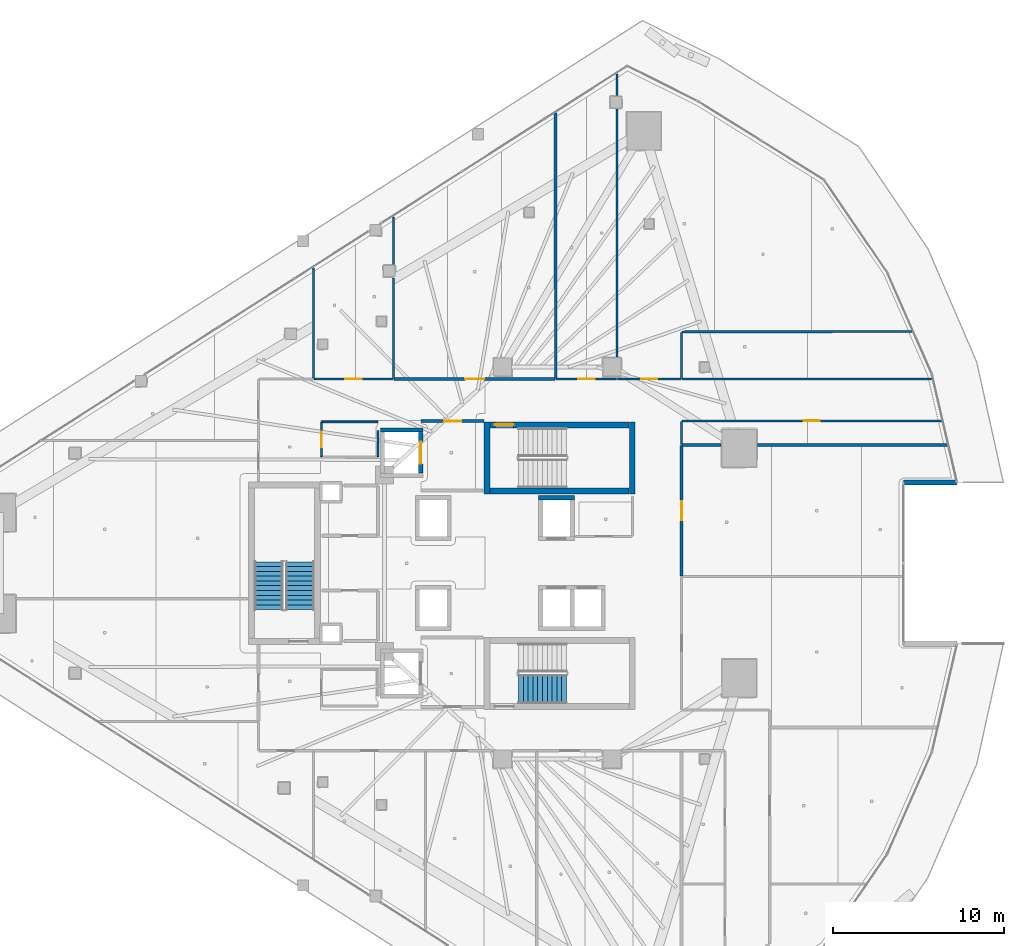
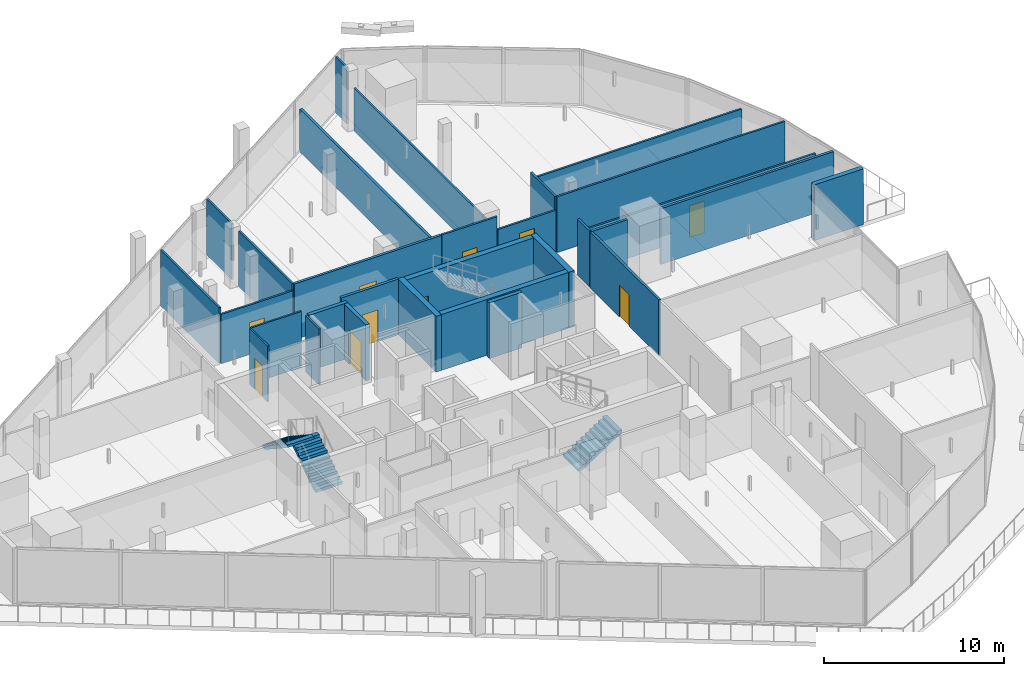
# One storey, part 25 of 35: 30 walls, 10 doors, 3 stair flights, 10 openings, 2 elements without a shape of their own.
"""IFC4 building model written with IfcOpenShell, lengths in metres."""

from ifc_helpers import new_model, si_unit, direction, frame, frame_2d, origin, place, context, subcontext, project, spatial, polyline, rectangle, outline, extrude, material, layer, layer_set, type_object, element, fill, aggregate, save


model = new_model("IFC4")

# Units and contexts
model_context = context("Model", 3, precision=1e-05, world=origin(), true_north=direction((0.0, 1.0)))
body_context = subcontext(model_context, "Body", "Model", "MODEL_VIEW")
ifc_project = project(units=[si_unit("LENGTHUNIT", "METRE"), si_unit("AREAUNIT", "SQUARE_METRE"), si_unit("VOLUMEUNIT", "CUBIC_METRE"), si_unit("PLANEANGLEUNIT", "RADIAN"), si_unit("MASSUNIT", "GRAM", prefix="KILO")], contexts=[model_context])

# Site, building, storey
site_placement = place(None, origin())
site = spatial("IfcSite", under=ifc_project, at=site_placement, CompositionType="ELEMENT")
building_placement = place(site_placement, origin())
building = spatial("IfcBuilding", under=site, at=building_placement, Name="Qorvath Tower", CompositionType="ELEMENT")
storey_placement = place(building_placement, frame((0.0, 0.0, 166.5)))
storey = spatial("IfcBuildingStorey", under=building, at=storey_placement, Name="L38", CompositionType="ELEMENT", Elevation=166.5)

# Wall, opening, door
ifc_material_1 = material(Name="Gypsum shaftliner on steel studs", Category="steel")
ifc_layer_1 = layer(ifc_material_1, 0.179931640625)
ifc_layer_set_1 = layer_set([ifc_layer_1], Name="FW-LOBBY")
wall_type_1 = type_object("IfcWallType", Name="FW-LOBBY", PredefinedType="PARTITIONING", material=ifc_layer_set_1)
wall_1_placement = place(storey_placement, frame((-24.68408203125, 8.300048828125, 0.0), z_axis=(0.0, 0.0, 1.0), x_axis=(-1.0, 0.0, 0.0)))
wall_1 = element("IfcWall", 1, at=wall_1_placement, inside=storey, type_object=wall_type_1, Name="Interior Partition IW-T1-L38-002", PredefinedType="PARTITIONING", context=body_context, shape_type="SweptSolid", body=[
    extrude(rectangle(XDim=3.6708984375, YDim=0.179931640625, at=frame_2d((1.83544921875, 0.0))), origin(), (0.0, 0.0, 1.0), 3.780029296875),
])
opening_1_placement = place(wall_1_placement, frame((1.33544921875, 0.0, 0.0)))
opening_1 = element("IfcOpeningElement", 2, at=opening_1_placement, cuts=wall_1, Name="Opening D-T1-L38-23", PredefinedType="OPENING", context=body_context, shape_type="SweptSolid", body=[
    extrude(rectangle(XDim=1.0, YDim=2.14990234375, at=frame_2d((0.5, 1.074951171875))), frame((0.0, 0.10009765625, 0.0), z_axis=(0.0, -1.0, 0.0), x_axis=(1.0, 0.0, 0.0)), (0.0, 0.0, 1.0), 0.199951171875),
])
ifc_material_2 = material(Name="Painted galvanised hollow metal", Category="steel")
door_type_1 = type_object("IfcDoorType", Name="FD-60", OperationType="NOTDEFINED", PredefinedType="DOOR", material=ifc_material_2)
door_1_placement = place(opening_1_placement, origin())
door_1 = element("IfcDoor", 3, at=door_1_placement, inside=storey, type_object=door_type_1, Name="Lobby Fire Service Elevator North Door D-T1-L38-23", OperationType="SINGLE_SWING_RIGHT", OverallHeight=2.14990234375, OverallWidth=1.0, PredefinedType="DOOR", context=body_context, shape_type="SweptSolid", body=[
    extrude(rectangle(XDim=1.0, YDim=2.14990234375, at=frame_2d((0.5, 1.074951171875))), frame((0.0, 0.02490234375, 0.0), z_axis=(0.0, -1.0, 0.0), x_axis=(1.0, 0.0, 0.0)), (0.0, 0.0, 1.0), 0.050048828125),
])
fill(opening_1, door_1)

ifc_material_3 = material(Name="Double acoustic gypsum board on steel studs", Category="steel")
ifc_layer_2 = layer(ifc_material_3, 0.159912109375)
ifc_layer_set_2 = layer_set([ifc_layer_2], Name="IW-ACOUSTIC-160")
wall_type_2 = type_object("IfcWallType", Name="IW-ACOUSTIC-160", PredefinedType="PARTITIONING", material=ifc_layer_set_2)
wall_2_placement = place(storey_placement, frame((-29.94580078125, 10.758056640625, 0.0), z_axis=(0.0, 0.0, 1.0), x_axis=(1.0, 0.0, 0.0)))
wall_2 = element("IfcWall", 4, at=wall_2_placement, inside=storey, type_object=wall_type_2, Name="Interior Partition IW-T1-L38-025", PredefinedType="PARTITIONING", context=body_context, shape_type="SweptSolid", body=[
    extrude(rectangle(XDim=9.42138671875, YDim=0.159912109375, at=frame_2d((4.710693359375, 0.0))), origin(), (0.0, 0.0, 1.0), 3.780029296875),
])
opening_2_placement = place(wall_2_placement, frame((4.16064453125, 0.0, 0.0)))
opening_2 = element("IfcOpeningElement", 5, at=opening_2_placement, cuts=wall_2, Name="Opening D-T1-L38-07", PredefinedType="OPENING", context=body_context, shape_type="SweptSolid", body=[
    extrude(rectangle(XDim=1.10009765625, YDim=2.14990234375, at=frame_2d((0.550048828125, 1.074951171875))), frame((0.0, 0.08984375, 0.0), z_axis=(0.0, -1.0, 0.0), x_axis=(1.0, 0.0, 0.0)), (0.0, 0.0, 1.0), 0.179931640625),
])
ifc_material_4 = material(Name="Anodised aluminium acoustic framed glass", Category="aluminium")
door_type_2 = type_object("IfcDoorType", Name="D-03", OperationType="NOTDEFINED", PredefinedType="DOOR", material=ifc_material_4)
door_2_placement = place(opening_2_placement, origin())
door_2 = element("IfcDoor", 6, at=door_2_placement, inside=storey, type_object=door_type_2, Name="L38-02 Client Services Office Door D-T1-L38-07", OperationType="SINGLE_SWING_RIGHT", OverallHeight=2.14990234375, OverallWidth=1.10009765625, PredefinedType="DOOR", context=body_context, shape_type="SweptSolid", body=[
    extrude(rectangle(XDim=1.10009765625, YDim=2.14990234375, at=frame_2d((0.550048828125, 1.074951171875))), frame((0.0, 0.02490234375, 0.0), z_axis=(0.0, -1.0, 0.0), x_axis=(1.0, 0.0, 0.0)), (0.0, 0.0, 1.0), 0.050048828125),
])
fill(opening_2, door_2)

# Walls
wall_3_placement = place(storey_placement, frame((-20.499267578125, 10.783203125, 0.0), z_axis=(0.0, 0.0, 1.0), x_axis=(-0.000582677066, 0.999999830244, 0.0)))
element("IfcWall", 7, at=wall_3_placement, inside=storey, type_object=wall_type_2, Name="Interior Partition IW-T1-L38-026", PredefinedType="PARTITIONING", context=body_context, shape_type="SweptSolid", body=[
    extrude(rectangle(XDim=15.5029296875, YDim=0.159912109375, at=frame_2d((7.75146484375, 0.0))), origin(), (0.0, 0.0, 1.0), 2.89501953125),
])
wall_4_placement = place(storey_placement, frame((2.3662109375, 6.9052734375, 0.0), z_axis=(0.0, 0.0, 1.0), x_axis=(-1.0, 0.0, 0.0)))
element("IfcWall", 8, at=wall_4_placement, inside=storey, type_object=wall_type_2, Name="Interior Partition IW-T1-L38-055", PredefinedType="PARTITIONING", context=body_context, shape_type="SweptSolid", body=[
    extrude(rectangle(XDim=11.071533203125, YDim=0.159912109375, at=frame_2d((5.53564453125, 0.0))), origin(), (0.0, 0.0, 1.0), 3.780029296875),
])
wall_5_placement = place(storey_placement, frame((-10.835205078125, 6.9052734375, 0.0), z_axis=(0.0, 0.0, 1.0), x_axis=(-1.0, 0.0, 0.0)))
element("IfcWall", 9, at=wall_5_placement, inside=storey, type_object=wall_type_2, Name="Interior Partition IW-T1-L38-056", PredefinedType="PARTITIONING", context=body_context, shape_type="SweptSolid", body=[
    extrude(rectangle(XDim=2.281982421875, YDim=0.159912109375, at=frame_2d((1.14111328125, 0.0))), origin(), (0.0, 0.0, 1.0), 3.780029296875),
])

# Wall, opening, door
wall_6_placement = place(storey_placement, frame((-13.14208984375, 6.88037109375, 0.0), z_axis=(0.0, 0.0, 1.0), x_axis=(0.0, -1.0, 0.0)))
wall_6 = element("IfcWall", 10, at=wall_6_placement, inside=storey, type_object=wall_type_2, Name="Interior Partition IW-T1-L38-057", PredefinedType="PARTITIONING", context=body_context, shape_type="SweptSolid", body=[
    extrude(rectangle(XDim=7.636474609375, YDim=0.159912109375, at=frame_2d((3.818359375, 0.0))), origin(), (0.0, 0.0, 1.0), 3.780029296875),
])
opening_3_placement = place(wall_6_placement, frame((3.268310546875, 0.0, 0.0)))
opening_3 = element("IfcOpeningElement", 11, at=opening_3_placement, cuts=wall_6, Name="Opening D-T1-L38-17", PredefinedType="OPENING", context=body_context, shape_type="SweptSolid", body=[
    extrude(rectangle(XDim=1.10009765625, YDim=2.14990234375, at=frame_2d((0.550048828125, 1.074951171875))), frame((0.0, 0.08984375, 0.0), z_axis=(0.0, -1.0, 0.0), x_axis=(1.0, 0.0, 0.0)), (0.0, 0.0, 1.0), 0.179931640625),
])
door_3_placement = place(opening_3_placement, origin())
door_3 = element("IfcDoor", 12, at=door_3_placement, inside=storey, type_object=door_type_2, Name="L38-12 Enclosed Conference Suite Door D-T1-L38-17", OperationType="SINGLE_SWING_RIGHT", OverallHeight=2.14990234375, OverallWidth=1.10009765625, PredefinedType="DOOR", context=body_context, shape_type="SweptSolid", body=[
    extrude(rectangle(XDim=1.10009765625, YDim=2.14990234375, at=frame_2d((0.550048828125, 1.074951171875))), frame((0.0, 0.02490234375, 0.0), z_axis=(0.0, -1.0, 0.0), x_axis=(1.0, 0.0, 0.0)), (0.0, 0.0, 1.0), 0.050048828125),
])
fill(opening_3, door_3)

# Wall
ifc_material_5 = material(Name="Gypsum board on metal studs with mineral wool", Category="gypsum")
ifc_layer_3 = layer(ifc_material_5, 0.125)
ifc_layer_set_3 = layer_set([ifc_layer_3], Name="IW-PART-125")
wall_type_3 = type_object("IfcWallType", Name="IW-PART-125", PredefinedType="PARTITIONING", material=ifc_layer_set_3)
wall_7_placement = place(storey_placement, frame((-34.64990234375, 17.247802734375, 0.0), z_axis=(0.0, 0.0, 1.0), x_axis=(0.0, -1.0, 0.0)))
element("IfcWall", 13, at=wall_7_placement, inside=storey, type_object=wall_type_3, Name="Interior Partition IW-T1-L38-021", PredefinedType="PARTITIONING", context=body_context, shape_type="SweptSolid", body=[
    extrude(rectangle(XDim=6.464599609375, YDim=0.125, at=frame_2d((3.232421875, 0.0))), origin(), (0.0, 0.0, 1.0), 3.780029296875),
])

# Wall, opening, door
wall_8_placement = place(storey_placement, frame((-34.625, 10.758056640625, 0.0), z_axis=(0.0, 0.0, 1.0), x_axis=(1.0, 0.0, 0.0)))
wall_8 = element("IfcWall", 14, at=wall_8_placement, inside=storey, type_object=wall_type_3, Name="Interior Partition IW-T1-L38-022", PredefinedType="PARTITIONING", context=body_context, shape_type="SweptSolid", body=[
    extrude(rectangle(XDim=4.62109375, YDim=0.125, at=frame_2d((2.310546875, 0.0))), origin(), (0.0, 0.0, 1.0), 3.34375),
])
opening_4_placement = place(wall_8_placement, frame((1.83544921875, 0.0, 0.0)))
opening_4 = element("IfcOpeningElement", 15, at=opening_4_placement, cuts=wall_8, Name="Opening D-T1-L38-06", PredefinedType="OPENING", context=body_context, shape_type="SweptSolid", body=[
    extrude(rectangle(XDim=0.949951171875, YDim=2.14990234375, at=frame_2d((0.47509765625, 1.074951171875))), frame((0.0, 0.072509765625, 0.0), z_axis=(0.0, -1.0, 0.0), x_axis=(1.0, 0.0, 0.0)), (0.0, 0.0, 1.0), 0.14501953125),
])
ifc_material_6 = material(Name="Solid-core American white oak veneer", Category="wood")
door_type_3 = type_object("IfcDoorType", Name="D-01", OperationType="NOTDEFINED", PredefinedType="DOOR", material=ifc_material_6)
door_4_placement = place(opening_4_placement, origin())
door_4 = element("IfcDoor", 16, at=door_4_placement, inside=storey, type_object=door_type_3, Name="L38-01 Staff Refreshment Pantry and Coffee Bar Door D-T1-L38-06", OperationType="SINGLE_SWING_LEFT", OverallHeight=2.14990234375, OverallWidth=0.949951171875, PredefinedType="DOOR", context=body_context, shape_type="SweptSolid", body=[
    extrude(rectangle(XDim=0.949951171875, YDim=2.14990234375, at=frame_2d((0.47509765625, 1.074951171875))), frame((0.0, 0.02490234375, 0.0), z_axis=(0.0, -1.0, 0.0), x_axis=(1.0, 0.0, 0.0)), (0.0, 0.0, 1.0), 0.050048828125),
])
fill(opening_4, door_4)

# Walls
wall_9_placement = place(storey_placement, frame((-29.97900390625, 10.783203125, 0.0), z_axis=(0.0, 0.0, 1.0), x_axis=(0.0, 1.0, 0.0)))
element("IfcWall", 17, at=wall_9_placement, inside=storey, type_object=wall_type_3, Name="Interior Partition IW-T1-L38-023", PredefinedType="PARTITIONING", context=body_context, shape_type="SweptSolid", body=[
    extrude(rectangle(XDim=5.886474609375, YDim=0.125, at=frame_2d((2.943359375, 0.0))), origin(), (0.0, 0.0, 1.0), 3.780029296875),
])
wall_10_placement = place(storey_placement, frame((-29.97900390625, 17.44970703125, 0.0), z_axis=(0.0, 0.0, 1.0), x_axis=(0.0, 1.0, 0.0)))
element("IfcWall", 18, at=wall_10_placement, inside=storey, type_object=wall_type_3, Name="Interior Partition IW-T1-L38-024", PredefinedType="PARTITIONING", context=body_context, shape_type="SweptSolid", body=[
    extrude(rectangle(XDim=2.783447265625, YDim=0.125, at=frame_2d((1.3916015625, 0.0))), origin(), (0.0, 0.0, 1.0), 3.780029296875),
])

# Wall, opening, door
wall_11_placement = place(storey_placement, frame((-20.46630859375, 10.758056640625, 0.0), z_axis=(0.0, 0.0, 1.0), x_axis=(1.0, 0.0, 0.0)))
wall_11 = element("IfcWall", 19, at=wall_11_placement, inside=storey, type_object=wall_type_3, Name="Interior Partition IW-T1-L38-027", PredefinedType="PARTITIONING", context=body_context, shape_type="SweptSolid", body=[
    extrude(rectangle(XDim=3.522705078125, YDim=0.125, at=frame_2d((1.76123046875, 0.0))), origin(), (0.0, 0.0, 1.0), 3.780029296875),
])
opening_5_placement = place(wall_11_placement, frame((1.286376953125, 0.0, 0.0)))
opening_5 = element("IfcOpeningElement", 20, at=opening_5_placement, cuts=wall_11, Name="Opening D-T1-L38-08", PredefinedType="OPENING", context=body_context, shape_type="SweptSolid", body=[
    extrude(rectangle(XDim=0.949951171875, YDim=2.14990234375, at=frame_2d((0.47509765625, 1.074951171875))), frame((0.0, 0.072509765625, 0.0), z_axis=(0.0, -1.0, 0.0), x_axis=(1.0, 0.0, 0.0)), (0.0, 0.0, 1.0), 0.14501953125),
])
door_5_placement = place(opening_5_placement, origin())
door_5 = element("IfcDoor", 21, at=door_5_placement, inside=storey, type_object=door_type_3, Name="L38-03 Staff Wellness Studio Door D-T1-L38-08", OperationType="SINGLE_SWING_LEFT", OverallHeight=2.14990234375, OverallWidth=0.949951171875, PredefinedType="DOOR", context=body_context, shape_type="SweptSolid", body=[
    extrude(rectangle(XDim=0.949951171875, YDim=2.14990234375, at=frame_2d((0.47509765625, 1.074951171875))), frame((0.0, 0.02490234375, 0.0), z_axis=(0.0, -1.0, 0.0), x_axis=(1.0, 0.0, 0.0)), (0.0, 0.0, 1.0), 0.050048828125),
])
fill(opening_5, door_5)

# Walls
wall_12_placement = place(storey_placement, frame((-16.918701171875, 12.0400390625, 0.0), z_axis=(0.0, 0.0, 1.0), x_axis=(0.0, 1.0, 0.0)))
element("IfcWall", 22, at=wall_12_placement, inside=storey, type_object=wall_type_3, Name="Interior Partition IW-T1-L38-028", PredefinedType="PARTITIONING", context=body_context, shape_type="SweptSolid", body=[
    extrude(rectangle(XDim=14.499267578125, YDim=0.125, at=frame_2d((7.24951171875, 0.0))), origin(), (0.0, 0.0, 1.0), 2.89501953125),
])
wall_13_placement = place(storey_placement, frame((-16.918701171875, 27.319091796875, 0.0), z_axis=(0.0, 0.0, 1.0), x_axis=(0.0, 1.0, 0.0)))
element("IfcWall", 23, at=wall_13_placement, inside=storey, type_object=wall_type_3, Name="Interior Partition IW-T1-L38-029", PredefinedType="PARTITIONING", context=body_context, shape_type="SweptSolid", body=[
    extrude(rectangle(XDim=1.26123046875, YDim=0.125, at=frame_2d((0.630615234375, 0.0))), origin(), (0.0, 0.0, 1.0), 3.780029296875),
])

# Wall, opening, door
wall_14_placement = place(storey_placement, frame((-16.885498046875, 10.758056640625, 0.0), z_axis=(0.0, 0.0, 1.0), x_axis=(1.0, 0.0, 0.0)))
wall_14 = element("IfcWall", 24, at=wall_14_placement, inside=storey, type_object=wall_type_3, Name="Interior Partition IW-T1-L38-030", PredefinedType="PARTITIONING", context=body_context, shape_type="SweptSolid", body=[
    extrude(rectangle(XDim=3.710693359375, YDim=0.125, at=frame_2d((1.85546875, 0.0))), origin(), (0.0, 0.0, 1.0), 2.89501953125),
])
opening_6_placement = place(wall_14_placement, frame((1.38037109375, 0.0, 0.0)))
opening_6 = element("IfcOpeningElement", 25, at=opening_6_placement, cuts=wall_14, Name="Opening D-T1-L38-09", PredefinedType="OPENING", context=body_context, shape_type="SweptSolid", body=[
    extrude(rectangle(XDim=0.949951171875, YDim=2.14990234375, at=frame_2d((0.47509765625, 1.074951171875))), frame((0.0, 0.072509765625, 0.0), z_axis=(0.0, -1.0, 0.0), x_axis=(1.0, 0.0, 0.0)), (0.0, 0.0, 1.0), 0.14501953125),
])
door_6_placement = place(opening_6_placement, origin())
door_6 = element("IfcDoor", 26, at=door_6_placement, inside=storey, type_object=door_type_3, Name="L38-04 Design Pin-Up Atelier Door D-T1-L38-09", OperationType="SINGLE_SWING_RIGHT", OverallHeight=2.14990234375, OverallWidth=0.949951171875, PredefinedType="DOOR", context=body_context, shape_type="SweptSolid", body=[
    extrude(rectangle(XDim=0.949951171875, YDim=2.14990234375, at=frame_2d((0.47509765625, 1.074951171875))), frame((0.0, 0.02490234375, 0.0), z_axis=(0.0, -1.0, 0.0), x_axis=(1.0, 0.0, 0.0)), (0.0, 0.0, 1.0), 0.050048828125),
])
fill(opening_6, door_6)

# Walls
wall_15_placement = place(storey_placement, frame((-13.14990234375, 13.489990234375, 0.0), z_axis=(0.0, 0.0, 1.0), x_axis=(0.0, -1.0, 0.0)))
element("IfcWall", 27, at=wall_15_placement, inside=storey, type_object=wall_type_3, Name="Interior Partition IW-T1-L38-031", PredefinedType="PARTITIONING", context=body_context, shape_type="SweptSolid", body=[
    extrude(rectangle(XDim=2.706787109375, YDim=0.125, at=frame_2d((1.353515625, 0.0))), origin(), (0.0, 0.0, 1.0), 3.780029296875),
])
wall_16_placement = place(storey_placement, frame((-13.125, 13.514892578125, 0.0), z_axis=(0.0, 0.0, 1.0), x_axis=(0.999999553983, 0.000944475304, 0.0)))
element("IfcWall", 28, at=wall_16_placement, inside=storey, type_object=wall_type_3, Name="Interior Partition IW-T1-L38-032", PredefinedType="PARTITIONING", context=body_context, shape_type="SweptSolid", body=[
    extrude(rectangle(XDim=13.441650390625, YDim=0.125, at=frame_2d((6.720703125, 0.0))), origin(), (0.0, 0.0, 1.0), 3.34375),
])
wall_17_placement = place(storey_placement, frame((1.47314453125, 10.758056640625, 0.0), z_axis=(0.0, 0.0, 1.0), x_axis=(-1.0, 0.0, 0.0)))
element("IfcWall", 29, at=wall_17_placement, inside=storey, type_object=wall_type_3, Name="Interior Partition IW-T1-L38-058", PredefinedType="PARTITIONING", context=body_context, shape_type="SweptSolid", body=[
    extrude(rectangle(XDim=14.59033203125, YDim=0.125, at=frame_2d((7.295166015625, 0.0))), origin(), (0.0, 0.0, 1.0), 3.780029296875),
])

# Wall, opening, door
wall_18_placement = place(storey_placement, frame((-13.1171875, 8.31201171875, 0.0), z_axis=(0.0, 0.0, 1.0), x_axis=(1.0, 0.0, 0.0)))
wall_18 = element("IfcWall", 30, at=wall_18_placement, inside=storey, type_object=wall_type_3, Name="Interior Partition IW-T1-L38-059", PredefinedType="PARTITIONING", context=body_context, shape_type="SweptSolid", body=[
    extrude(rectangle(XDim=15.1572265625, YDim=0.125, at=frame_2d((7.57861328125, 0.0))), origin(), (0.0, 0.0, 1.0), 2.89501953125),
])
opening_7_placement = place(wall_18_placement, frame((7.103515625, 0.0, 0.0)))
opening_7 = element("IfcOpeningElement", 31, at=opening_7_placement, cuts=wall_18, Name="Opening D-T1-L38-18", PredefinedType="OPENING", context=body_context, shape_type="SweptSolid", body=[
    extrude(rectangle(XDim=0.949951171875, YDim=2.14990234375, at=frame_2d((0.47509765625, 1.074951171875))), frame((0.0, 0.072509765625, 0.0), z_axis=(0.0, -1.0, 0.0), x_axis=(1.0, 0.0, 0.0)), (0.0, 0.0, 1.0), 0.14501953125),
])
door_7_placement = place(opening_7_placement, origin())
door_7 = element("IfcDoor", 32, at=door_7_placement, inside=storey, type_object=door_type_3, Name="L38-13 Focus Collaboration Pod Door D-T1-L38-18", OperationType="SINGLE_SWING_LEFT", OverallHeight=2.14990234375, OverallWidth=0.949951171875, PredefinedType="DOOR", context=body_context, shape_type="SweptSolid", body=[
    extrude(rectangle(XDim=0.949951171875, YDim=2.14990234375, at=frame_2d((0.47509765625, 1.074951171875))), frame((0.0, 0.02490234375, 0.0), z_axis=(0.0, -1.0, 0.0), x_axis=(1.0, 0.0, 0.0)), (0.0, 0.0, 1.0), 0.050048828125),
])
fill(opening_7, door_7)

# Wall
wall_19_placement = place(storey_placement, frame((-13.14208984375, 8.287109375, 0.0), z_axis=(0.0, 0.0, 1.0), x_axis=(0.0, -1.0, 0.0)))
element("IfcWall", 33, at=wall_19_placement, inside=storey, type_object=wall_type_3, Name="Interior Partition IW-T1-L38-060", PredefinedType="PARTITIONING", context=body_context, shape_type="SweptSolid", body=[
    extrude(rectangle(XDim=1.348876953125, YDim=0.125, at=frame_2d((0.67431640625, 0.0))), origin(), (0.0, 0.0, 1.0), 3.780029296875),
])

# Wall, opening, door
ifc_material_7 = material(Name="Moisture-resistant cement board on metal studs", Category="gypsum")
ifc_layer_4 = layer(ifc_material_7, 0.110107421875)
ifc_layer_set_4 = layer_set([ifc_layer_4], Name="IW-WC-110")
wall_type_4 = type_object("IfcWallType", Name="IW-WC-110", PredefinedType="PARTITIONING", material=ifc_layer_set_4)
wall_20_placement = place(storey_placement, frame((-34.179931640625, 8.22509765625, 0.0), z_axis=(0.0, 0.0, 1.0), x_axis=(0.0, -1.0, 0.0)))
wall_20 = element("IfcWall", 34, at=wall_20_placement, inside=storey, type_object=wall_type_4, Name="Interior Partition IW-T1-L38-005", PredefinedType="PARTITIONING", context=body_context, shape_type="SweptSolid", body=[
    extrude(rectangle(XDim=2.0, YDim=0.110107421875, at=frame_2d((1.0, 0.0))), origin(), (0.0, 0.0, 1.0), 3.780029296875),
])
opening_8_placement = place(wall_20_placement, frame((0.56005859375, 0.0, 0.0)))
opening_8 = element("IfcOpeningElement", 35, at=opening_8_placement, cuts=wall_20, Name="Opening D-T1-L38-01", PredefinedType="OPENING", context=body_context, shape_type="SweptSolid", body=[
    extrude(rectangle(XDim=0.8798828125, YDim=2.10009765625, at=frame_2d((0.43994140625, 1.050048828125))), frame((0.0, 0.06494140625, 0.0), z_axis=(0.0, -1.0, 0.0), x_axis=(1.0, 0.0, 0.0)), (0.0, 0.0, 1.0), 0.130126953125),
])
ifc_material_8 = material(Name="Solid-core oak with acoustic drop seal", Category="wood")
door_type_4 = type_object("IfcDoorType", Name="D-02", OperationType="NOTDEFINED", PredefinedType="DOOR", material=ifc_material_8)
door_8_placement = place(opening_8_placement, origin())
door_8 = element("IfcDoor", 36, at=door_8_placement, inside=storey, type_object=door_type_4, Name="WC All-Gender North L38 Door D-T1-L38-01", OperationType="SINGLE_SWING_RIGHT", OverallHeight=2.10009765625, OverallWidth=0.8798828125, PredefinedType="DOOR", context=body_context, shape_type="SweptSolid", body=[
    extrude(rectangle(XDim=0.8798828125, YDim=2.10009765625, at=frame_2d((0.43994140625, 1.050048828125))), frame((0.0, 0.02490234375, 0.0), z_axis=(0.0, -1.0, 0.0), x_axis=(1.0, 0.0, 0.0)), (0.0, 0.0, 1.0), 0.050048828125),
])
fill(opening_8, door_8)

# Walls
wall_21_placement = place(storey_placement, frame((-30.8798828125, 6.22509765625, 0.0), z_axis=(0.0, 0.0, 1.0), x_axis=(0.0, 1.0, 0.0)))
element("IfcWall", 37, at=wall_21_placement, inside=storey, type_object=wall_type_4, Name="Interior Partition IW-T1-L38-007", PredefinedType="PARTITIONING", context=body_context, shape_type="SweptSolid", body=[
    extrude(rectangle(XDim=1.517822265625, YDim=0.110107421875, at=frame_2d((0.7587890625, 0.0))), origin(), (0.0, 0.0, 1.0), 3.780029296875),
])
wall_22_placement = place(storey_placement, frame((-30.90478515625, 8.25, 0.0), z_axis=(0.0, 0.0, 1.0), x_axis=(-1.0, 0.0, 0.0)))
element("IfcWall", 38, at=wall_22_placement, inside=storey, type_object=wall_type_4, Name="Interior Partition IW-T1-L38-008", PredefinedType="PARTITIONING", context=body_context, shape_type="SweptSolid", body=[
    extrude(rectangle(XDim=3.25, YDim=0.110107421875, at=frame_2d((1.625, 0.0))), origin(), (0.0, 0.0, 1.0), 3.780029296875),
])
ifc_material_9 = material(Name="Concrete C60/75", Category="concrete")
ifc_layer_5 = layer(ifc_material_9, 0.260009765625)
ifc_layer_set_5 = layer_set([ifc_layer_5], Name="SW-SHAFT")
wall_type_5 = type_object("IfcWallType", Name="SW-SHAFT", PredefinedType="SHEAR", material=ifc_layer_set_5)
wall_23_placement = place(storey_placement, frame((-30.739990234375, 7.77001953125, 0.0), z_axis=(0.0, 0.0, 1.0), x_axis=(1.0, 0.0, 0.0)))
element("IfcWall", 39, at=wall_23_placement, inside=storey, type_object=wall_type_5, Name="Hoistway Wall FSAE-1 L38 N", PredefinedType="SHEAR", context=body_context, shape_type="SweptSolid", body=[
    extrude(rectangle(XDim=2.47998046875, YDim=0.239990234375, at=frame_2d((1.239990234375, 0.0))), origin(), (0.0, 0.0, 1.0), 3.780029296875),
])

# Wall, opening, door
wall_24_placement = place(storey_placement, frame((-28.3798828125, 7.637939453125, 0.0), z_axis=(0.0, 0.0, 1.0), x_axis=(0.0, -1.0, 0.0)))
wall_24 = element("IfcWall", 40, at=wall_24_placement, inside=storey, type_object=wall_type_5, Name="Hoistway Wall FSAE-1 L38 E", PredefinedType="SHEAR", context=body_context, shape_type="SweptSolid", body=[
    extrude(rectangle(XDim=2.3759765625, YDim=0.239990234375, at=frame_2d((1.18798828125, 0.0))), origin(), (0.0, 0.0, 1.0), 3.780029296875),
])
opening_9_placement = place(wall_24_placement, frame((0.537841796875, 0.0, 0.0)))
opening_9 = element("IfcOpeningElement", 41, at=opening_9_placement, cuts=wall_24, Name="Opening LD-FSAE-1-L38", PredefinedType="OPENING", context=body_context, shape_type="SweptSolid", body=[
    extrude(rectangle(XDim=1.300048828125, YDim=2.300048828125, at=frame_2d((0.64990234375, 1.14990234375))), frame((0.0, 0.1298828125, 0.0), z_axis=(0.0, -1.0, 0.0), x_axis=(1.0, 0.0, 0.0)), (0.0, 0.0, 1.0), 0.260009765625),
])
ifc_material_10 = material(Name="Brushed stainless steel AISI 316", Category="steel")
door_type_5 = type_object("IfcDoorType", Name="LD-02", OperationType="NOTDEFINED", PredefinedType="DOOR", material=ifc_material_10)
door_9_placement = place(opening_9_placement, origin())
door_9 = element("IfcDoor", 42, at=door_9_placement, inside=storey, type_object=door_type_5, Name="Elevator Landing Sliding Door LD-FSAE-1-L38", OperationType="DOUBLE_DOOR_SLIDING", OverallHeight=2.300048828125, OverallWidth=1.300048828125, PredefinedType="DOOR", context=body_context, shape_type="SweptSolid", body=[
    extrude(rectangle(XDim=1.300048828125, YDim=2.300048828125, at=frame_2d((0.64990234375, 1.14990234375))), frame((0.0, 0.02490234375, 0.0), z_axis=(0.0, -1.0, 0.0), x_axis=(1.0, 0.0, 0.0)), (0.0, 0.0, 1.0), 0.050048828125),
])
fill(opening_9, door_9)

# Walls
wall_25_placement = place(storey_placement, frame((-21.489990234375, 3.820068359375, 0.0), z_axis=(0.0, 0.0, 1.0), x_axis=(1.0, 0.0, 0.0)))
element("IfcWall", 43, at=wall_25_placement, inside=storey, type_object=wall_type_5, Name="Hoistway Wall PM-1 L38 N", PredefinedType="SHEAR", context=body_context, shape_type="SweptSolid", body=[
    extrude(rectangle(XDim=2.080078125, YDim=0.239990234375, at=frame_2d((1.0400390625, 0.0))), origin(), (0.0, 0.0, 1.0), 3.780029296875),
])
ifc_material_11 = material(Name="Concrete C60/75", Category="concrete")
ifc_layer_6 = layer(ifc_material_11, 0.35009765625)
ifc_layer_set_6 = layer_set([ifc_layer_6], Name="SW-STAIR")
wall_type_6 = type_object("IfcWallType", Name="SW-STAIR", PredefinedType="SHEAR", material=ifc_layer_set_6)
for number, where, z_axis, x_axis, name in (
    (44, (-24.52490234375, 8.260009765625, 0.0), (0.0, 0.0, 1.0), (0.0, -1.0, 0.0), "Stair TS1 Shear Wall L38 NEAR"),
    (45, (-16.02490234375, 4.050048828125, 0.0), (0.0, 0.0, 1.0), (0.0, 1.0, 0.0), "Stair TS1 Shear Wall L38 FAR"),
):
    element("IfcWall", number, at=place(storey_placement, frame(where, z_axis=z_axis, x_axis=x_axis)), inside=storey, type_object=wall_type_6, Name=name, PredefinedType="SHEAR", context=body_context, shape_type="SweptSolid", body=[
        extrude(rectangle(XDim=4.2099609375, YDim=0.35009765625, at=frame_2d((2.10498046875, 0.0))), origin(), (0.0, 0.0, 1.0), 3.780029296875),
    ])
wall_26_placement = place(storey_placement, frame((-24.3349609375, 4.22509765625, 0.0), z_axis=(0.0, 0.0, 1.0), x_axis=(1.0, 0.0, 0.0)))
element("IfcWall", 46, at=wall_26_placement, inside=storey, type_object=wall_type_6, Name="Stair TS1 Shear Wall L38 LEFT", PredefinedType="SHEAR", context=body_context, shape_type="SweptSolid", body=[
    extrude(rectangle(XDim=8.119873046875, YDim=0.35009765625, at=frame_2d((4.06005859375, 0.0))), origin(), (0.0, 0.0, 1.0), 3.780029296875),
])

# Wall, opening, door
wall_27_placement = place(storey_placement, frame((-16.215087890625, 8.0849609375, 0.0), z_axis=(0.0, 0.0, 1.0), x_axis=(-1.0, 0.0, 0.0)))
wall_27 = element("IfcWall", 47, at=wall_27_placement, inside=storey, type_object=wall_type_6, Name="Stair TS1 Shear Wall L38 RIGHT", PredefinedType="SHEAR", context=body_context, shape_type="SweptSolid", body=[
    extrude(rectangle(XDim=8.119873046875, YDim=0.35009765625, at=frame_2d((4.06005859375, 0.0))), origin(), (0.0, 0.0, 1.0), 3.780029296875),
])
opening_10_placement = place(wall_27_placement, frame((6.739990234375, 0.0, 0.0)))
opening_10 = element("IfcOpeningElement", 48, at=opening_10_placement, cuts=wall_27, Name="Opening D-TS1-L38", PredefinedType="OPENING", context=body_context, shape_type="SweptSolid", body=[
    extrude(rectangle(XDim=1.10009765625, YDim=2.199951171875, at=frame_2d((0.550048828125, 1.10009765625))), frame((0.0, 0.18505859375, 0.0), z_axis=(0.0, -1.0, 0.0), x_axis=(1.0, 0.0, 0.0)), (0.0, 0.0, 1.0), 0.3701171875),
])
ifc_material_12 = material(Name="Painted galvanised hollow metal", Category="steel")
door_type_6 = type_object("IfcDoorType", Name="FD-90", OperationType="NOTDEFINED", PredefinedType="DOOR", material=ifc_material_12)
door_10_placement = place(opening_10_placement, origin())
door_10 = element("IfcDoor", 49, at=door_10_placement, inside=storey, type_object=door_type_6, Name="Stair TS1 Fire Door L38", OperationType="SINGLE_SWING_LEFT", OverallHeight=2.199951171875, OverallWidth=1.10009765625, PredefinedType="DOOR", context=body_context, shape_type="SweptSolid", body=[
    extrude(rectangle(XDim=1.10009765625, YDim=2.199951171875, at=frame_2d((0.550048828125, 1.10009765625))), frame((0.0, 0.02490234375, 0.0), z_axis=(0.0, -1.0, 0.0), x_axis=(1.0, 0.0, 0.0)), (0.0, 0.0, 1.0), 0.050048828125),
])
fill(opening_10, door_10)

# Wall
ifc_material_13 = material(Name="Precast concrete C45/55", Category="concrete")
ifc_layer_7 = layer(ifc_material_13, 0.300048828125)
ifc_layer_set_7 = layer_set([ifc_layer_7], Name="WL-EW-LOG-300")
wall_type_7 = type_object("IfcWallType", Name="WL-EW-LOG-300", PredefinedType="SOLIDWALL", material=ifc_layer_set_7)
wall_28_placement = place(storey_placement, frame((-0.183837890625, 4.708740234375, 0.0), z_axis=(0.0, 0.0, 1.0), x_axis=(1.0, 0.0, 0.0)))
element("IfcWall", 50, at=wall_28_placement, inside=storey, type_object=wall_type_7, Name="Tower Precast Loggia Wall L38-10.1", PredefinedType="SOLIDWALL", context=body_context, shape_type="SweptSolid", body=[
    extrude(rectangle(XDim=3.13916015625, YDim=0.300048828125, at=frame_2d((1.569580078125, 0.0))), origin(), (0.0, 0.0, 1.0), 3.780029296875),
])

# Stair, stair flight
ifc_material_14 = material(Name="Concrete C50/60", Category="concrete")
stair_type = type_object("IfcStairType", Name="ST-H405", PredefinedType="HALF_TURN_STAIR", material=ifc_material_14)
stair_1_placement = place(storey_placement, origin())
stair_1 = element("IfcStair", 51, at=stair_1_placement, inside=storey, type_object=stair_type, Name="L38 Tower Exit Stair 2", PredefinedType="HALF_TURN_STAIR")
ifc_material_15 = material(Name="Concrete C50/60", Category="concrete")
ifc_layer_8 = layer(ifc_material_15, 0.14990234375)
ifc_layer_set_8 = layer_set([ifc_layer_8], Name="SF-H405")
stair_flight_type = type_object("IfcStairFlightType", Name="SF-H405", PredefinedType="STRAIGHT", material=ifc_layer_set_8)
stair_flight_1_placement = place(storey_placement, frame((-22.669921875, -7.360107421875, 0.0), z_axis=(0.0, 0.0, 1.0), x_axis=(1.0, 0.0, 0.0)))
stair_flight_1 = element("IfcStairFlight", 52, at=stair_flight_1_placement, type_object=stair_flight_type, Name="TS2 flight 1", NumberOfRisers=11, NumberOfTreads=10, PredefinedType="STRAIGHT", RiserHeight=0.184090909, TreadLength=0.28, context=body_context, shape_type="SweptSolid", body=[
    extrude(outline(polyline([(0.0, 0.0), (0.0, 0.18408203125), (0.280029296875, 0.18408203125), (0.280029296875, 0.3681640625), (0.56005859375, 0.3681640625), (0.56005859375, 0.55224609375), (0.840087890625, 0.55224609375), (0.840087890625, 0.736328125), (1.1201171875, 0.736328125), (1.1201171875, 0.92041015625), (1.39990234375, 0.92041015625), (1.39990234375, 1.1044921875), (1.679931640625, 1.1044921875), (1.679931640625, 1.28857421875), (1.9599609375, 1.28857421875), (1.9599609375, 1.47265625), (2.239990234375, 1.47265625), (2.239990234375, 1.65673828125), (2.52001953125, 1.65673828125), (2.52001953125, 1.8408203125), (2.800048828125, 1.8408203125), (2.800048828125, 2.02490234375), (2.800048828125, 1.66162109375), (0.27294921875, 0.0), (0.0, 0.0)])), frame((0.0, 0.83984375, 0.0), z_axis=(0.0, -1.0, 0.0), x_axis=(1.0, 0.0, 0.0)), (0.0, 0.0, 1.0), 1.679931640625),
])
aggregate(stair_1, [stair_flight_1])

# Stair, stair flights
stair_2_placement = place(storey_placement, origin())
stair_2 = element("IfcStair", 53, at=stair_2_placement, inside=storey, type_object=stair_type, Name="L38 Tower Exit Stair 3", PredefinedType="HALF_TURN_STAIR")
stair_flight_2_placement = place(storey_placement, frame((-35.43994140625, -2.719970703125, 0.0), z_axis=(0.0, 0.0, 1.0), x_axis=(0.0, 1.0, 0.0)))
stair_flight_2 = element("IfcStairFlight", 54, at=stair_flight_2_placement, type_object=stair_flight_type, Name="TS3 flight 1", NumberOfRisers=11, NumberOfTreads=10, PredefinedType="STRAIGHT", RiserHeight=0.184090909, TreadLength=0.28, context=body_context, shape_type="SweptSolid", body=[
    extrude(outline(polyline([(0.0, 0.0), (0.0, 0.18408203125), (0.280029296875, 0.18408203125), (0.280029296875, 0.3681640625), (0.56005859375, 0.3681640625), (0.56005859375, 0.55224609375), (0.840087890625, 0.55224609375), (0.840087890625, 0.736328125), (1.1201171875, 0.736328125), (1.1201171875, 0.92041015625), (1.39990234375, 0.92041015625), (1.39990234375, 1.1044921875), (1.679931640625, 1.1044921875), (1.679931640625, 1.28857421875), (1.9599609375, 1.28857421875), (1.9599609375, 1.47265625), (2.239990234375, 1.47265625), (2.239990234375, 1.65673828125), (2.52001953125, 1.65673828125), (2.52001953125, 1.8408203125), (2.800048828125, 1.8408203125), (2.800048828125, 2.02490234375), (2.800048828125, 1.66162109375), (0.27294921875, 0.0), (0.0, 0.0)])), frame((0.0, 0.83984375, 0.0), z_axis=(0.0, -1.0, 0.0), x_axis=(1.0, 0.0, 0.0)), (0.0, 0.0, 1.0), 1.679931640625),
])
stair_flight_3_placement = place(storey_placement, frame((-37.27001953125, 0.080078125, 2.02490234375), z_axis=(0.0, 0.0, 1.0), x_axis=(0.0, -1.0, 0.0)))
stair_flight_3 = element("IfcStairFlight", 55, at=stair_flight_3_placement, type_object=stair_flight_type, Name="TS3 flight 2", NumberOfRisers=11, NumberOfTreads=10, PredefinedType="STRAIGHT", RiserHeight=0.184090909, TreadLength=0.28, context=body_context, shape_type="SweptSolid", body=[
    extrude(outline(polyline([(0.0, 0.0), (0.0, 0.18408203125), (0.280029296875, 0.18408203125), (0.280029296875, 0.3681640625), (0.56005859375, 0.3681640625), (0.56005859375, 0.55224609375), (0.840087890625, 0.55224609375), (0.840087890625, 0.736328125), (1.1201171875, 0.736328125), (1.1201171875, 0.92041015625), (1.39990234375, 0.92041015625), (1.39990234375, 1.1044921875), (1.679931640625, 1.1044921875), (1.679931640625, 1.28857421875), (1.9599609375, 1.28857421875), (1.9599609375, 1.47265625), (2.239990234375, 1.47265625), (2.239990234375, 1.65673828125), (2.52001953125, 1.65673828125), (2.52001953125, 1.8408203125), (2.800048828125, 1.8408203125), (2.800048828125, 2.02490234375), (2.800048828125, 1.66162109375), (0.27294921875, 0.0), (0.0, 0.0)])), frame((0.0, 0.83984375, 0.0), z_axis=(0.0, -1.0, 0.0), x_axis=(1.0, 0.0, 0.0)), (0.0, 0.0, 1.0), 1.679931640625),
])
aggregate(stair_2, [stair_flight_2, stair_flight_3])

save(model, "model.ifc")
